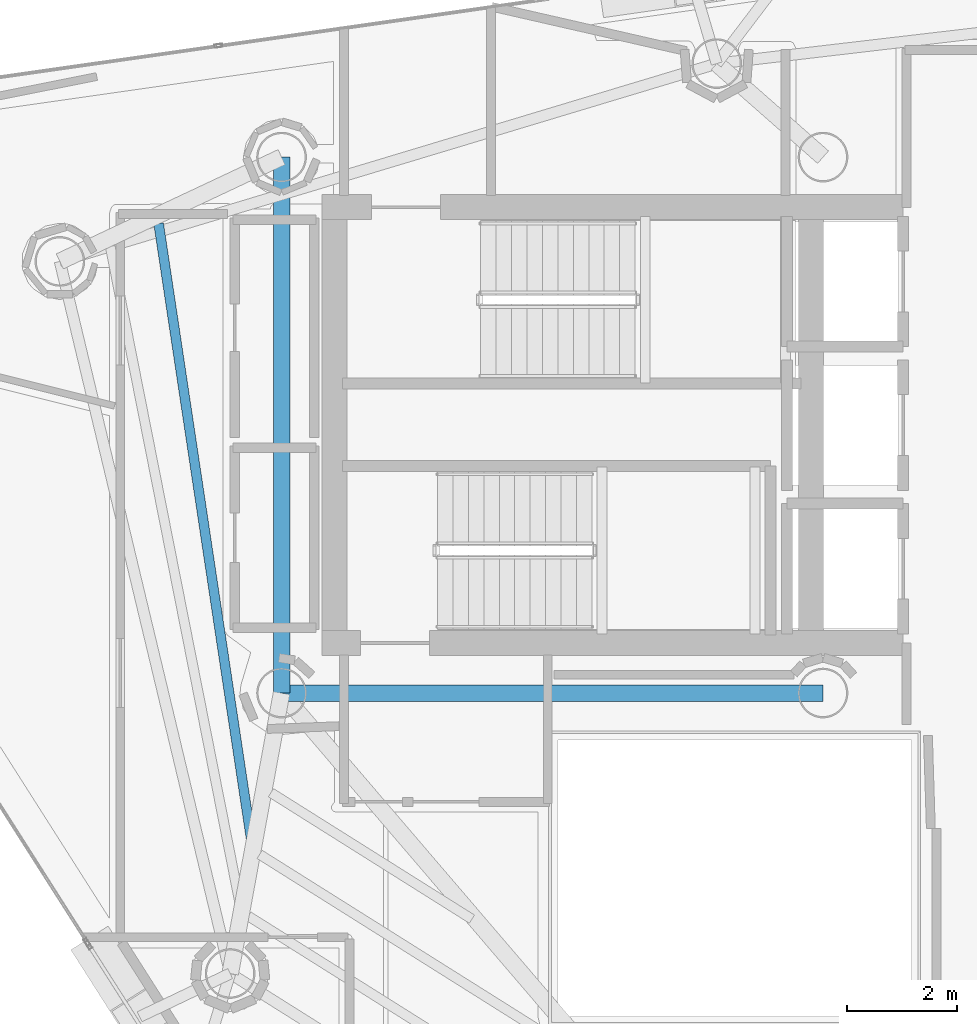
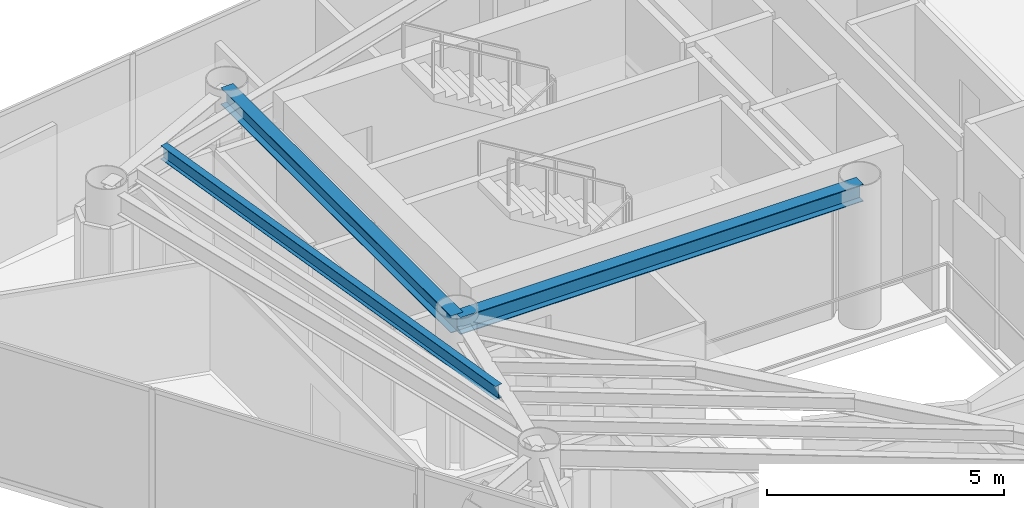
# One storey, part 10 of 25: 3 beams.
"""IFC4 building model written with IfcOpenShell, lengths in metres."""

from ifc_helpers import new_model, si_unit, direction, frame, origin, origin_2d, place, context, subcontext, project, spatial, i_section, extrude, material, material_profile, profile_set, type_object, element, save


model = new_model("IFC4")

# Units and contexts
model_context = context("Model", 3, precision=1e-05, world=origin(), true_north=direction((0.0, 1.0)))
body_context = subcontext(model_context, "Body", "Model", "MODEL_VIEW")
ifc_project = project(units=[si_unit("LENGTHUNIT", "METRE"), si_unit("AREAUNIT", "SQUARE_METRE"), si_unit("VOLUMEUNIT", "CUBIC_METRE"), si_unit("PLANEANGLEUNIT", "RADIAN"), si_unit("MASSUNIT", "GRAM", prefix="KILO")], contexts=[model_context])

# Site, building, storey
site_placement = place(None, origin())
site = spatial("IfcSite", under=ifc_project, at=site_placement, CompositionType="ELEMENT")
building_placement = place(site_placement, origin())
building = spatial("IfcBuilding", under=site, at=building_placement, Name="Qianvela Tower", CompositionType="ELEMENT")
storey_placement = place(building_placement, frame((0.0, 0.0, 291.699951171875)))
storey = spatial("IfcBuildingStorey", under=building, at=storey_placement, Name="L75", CompositionType="ELEMENT", Elevation=291.699951171875)

# Beams
ifc_material_1 = material(Name="Steel Q355B", Category="steel")
ifc_material_profile_1 = material_profile(ifc_material_1, i_section(OverallWidth=0.300048828125, OverallDepth=0.43994140625, WebThickness=0.010986328125, FlangeThickness=0.01806640625, at=origin_2d()), Name="HM440x300x11x18")
ifc_profile_set_1 = profile_set([ifc_material_profile_1], Name="Steel Q355B")
beam_type_1 = type_object("IfcBeamType", Name="BM-HM440-COLL", PredefinedType="BEAM", material=ifc_profile_set_1)
beam_1_placement = place(storey_placement, frame((28.60009765625, 23.85009765625, 3.298095703125), z_axis=(1.0, 0.0, 0.0), x_axis=(0.0, 1.0, 0.0)))
element("IfcBeam", 1, at=beam_1_placement, inside=storey, type_object=beam_type_1, Name="L75 Core Ring Collector Girder CC1", PredefinedType="BEAM", context=body_context, shape_type="SweptSolid", body=[
    extrude(i_section(OverallWidth=0.300048828125, OverallDepth=0.43994140625, WebThickness=0.010986328125, FlangeThickness=0.01806640625, at=origin_2d()), origin(), (0.0, 0.0, 1.0), 9.7998046875),
])
beam_2_placement = place(storey_placement, frame((28.60009765625, 33.550048828125, 3.298095703125), z_axis=(0.0, -1.0, 0.0), x_axis=(1.0, 0.0, 0.0)))
element("IfcBeam", 2, at=beam_2_placement, inside=storey, type_object=beam_type_1, Name="L75 Core Ring Collector Girder CC2", PredefinedType="BEAM", context=body_context, shape_type="SweptSolid", body=[
    extrude(i_section(OverallWidth=0.300048828125, OverallDepth=0.43994140625, WebThickness=0.010986328125, FlangeThickness=0.01806640625, at=origin_2d()), origin(), (0.0, 0.0, 1.0), 9.699951171875),
])
ifc_material_2 = material(Name="Steel Q355B", Category="steel")
ifc_material_profile_2 = material_profile(ifc_material_2, i_section(OverallWidth=0.175048828125, OverallDepth=0.35009765625, WebThickness=0.007080078125, FlangeThickness=0.010986328125, at=origin_2d()), Name="HN350x175x7x11")
ifc_profile_set_2 = profile_set([ifc_material_profile_2], Name="Steel Q355B")
beam_type_2 = type_object("IfcBeamType", Name="BM-HN350-JOIST", PredefinedType="JOIST", material=ifc_profile_set_2)
beam_3_placement = place(storey_placement, frame((26.37451171875, 32.348876953125, 3.343017578125), z_axis=(0.148647266964, -0.988890282096, 0.0), x_axis=(0.988890282096, 0.148647266964, 0.0)))
element("IfcBeam", 3, at=beam_3_placement, inside=storey, type_object=beam_type_2, Name="L75 Secondary Composite Floor Joist 3.2", PredefinedType="JOIST", context=body_context, shape_type="SweptSolid", body=[
    extrude(i_section(OverallWidth=0.175048828125, OverallDepth=0.35009765625, WebThickness=0.007080078125, FlangeThickness=0.010986328125, at=origin_2d()), origin(), (0.0, 0.0, 1.0), 11.32275390625),
])

save(model, "model.ifc")
